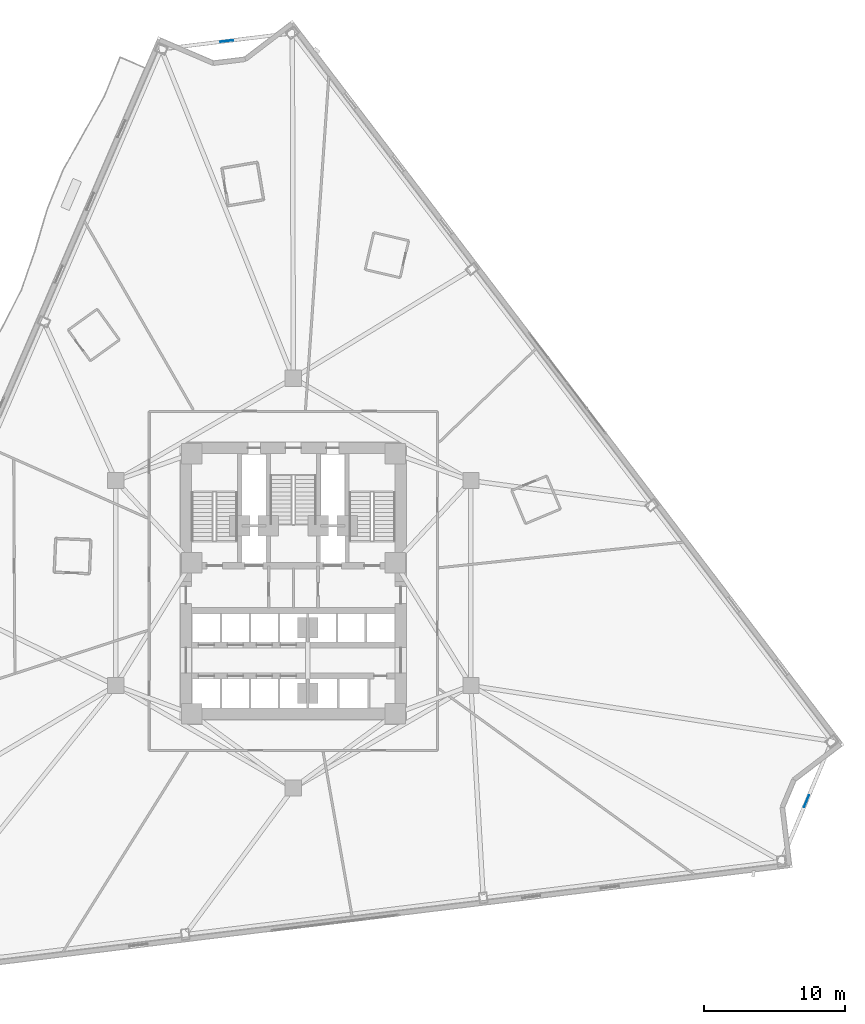
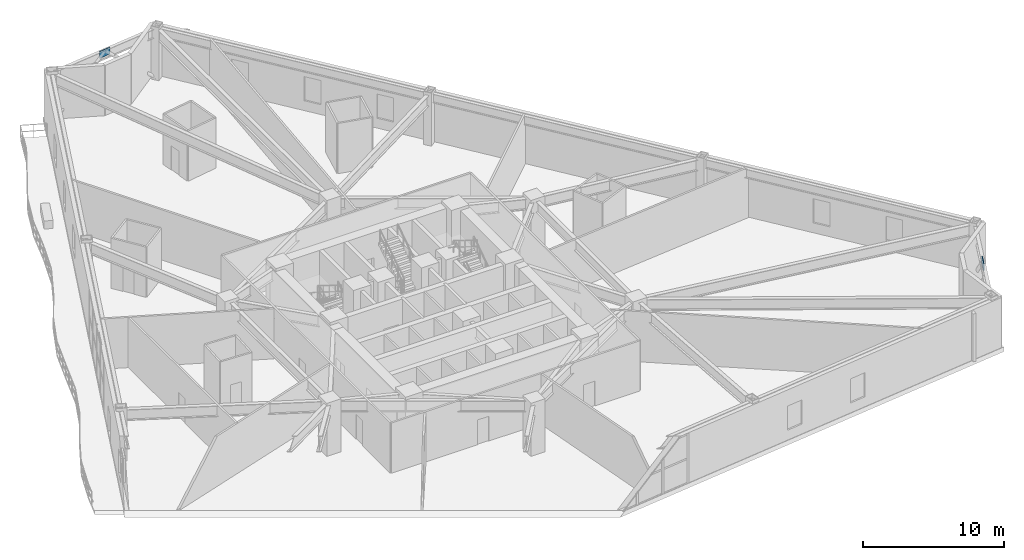
# One storey, part 10 of 21: 2 plates.
"""IFC4 building model written with IfcOpenShell, lengths in metres."""

from ifc_helpers import new_model, si_unit, direction, frame, origin, origin_2d, place, context, subcontext, project, spatial, rectangle, extrude, material, layer, layer_set, type_object, element, save


model = new_model("IFC4")

# Units and contexts
model_context = context("Model", 3, precision=1e-05, world=origin(), true_north=direction((0.0, 1.0)))
body_context = subcontext(model_context, "Body", "Model", "MODEL_VIEW")
ifc_project = project(units=[si_unit("LENGTHUNIT", "METRE"), si_unit("AREAUNIT", "SQUARE_METRE"), si_unit("VOLUMEUNIT", "CUBIC_METRE"), si_unit("PLANEANGLEUNIT", "RADIAN"), si_unit("MASSUNIT", "GRAM", prefix="KILO")], contexts=[model_context])

# Site, building, storey
site_placement = place(None, origin())
site = spatial("IfcSite", under=ifc_project, at=site_placement, CompositionType="ELEMENT")
building_placement = place(site_placement, origin())
building = spatial("IfcBuilding", under=site, at=building_placement, Name="Apsidion Concourse Tower", CompositionType="ELEMENT")
storey_placement = place(building_placement, frame((0.0, 0.0, 62.39990234375)))
storey = spatial("IfcBuildingStorey", under=building, at=storey_placement, Name="L13", CompositionType="ELEMENT", Elevation=62.39990234375)

# Plates
ifc_material = material(Name="Structural steel ASTM A572 Grade 50", Category="steel")
ifc_layer = layer(ifc_material, 0.0400390625)
ifc_layer_set = layer_set([ifc_layer], Name="Structural steel ASTM A572 Grade 50")
plate_type = type_object("IfcPlateType", Name="PL-GUSSET-40", PredefinedType="SHEET", material=ifc_layer_set)
for number, where, z_axis, x_axis, name in (
    (1, (36.3037109375, -15.4326171875, 3.77001953125), (0.0, 0.0, 1.0), (0.388319916157, 0.921524629468, 0.0), "L13 Chevron Apex Node Gusset Plate KNA-2"),
    (2, (-4.708251953125, 38.345947265625, 3.77001953125), (0.0, 0.0, 1.0), (0.992546151641, 0.121869343405, 0.0), "L13 Chevron Apex Node Gusset Plate KNA-3"),
):
    element("IfcPlate", number, at=place(storey_placement, frame(where, z_axis=z_axis, x_axis=x_axis)), inside=storey, type_object=plate_type, Name=name, PredefinedType="SHEET", context=body_context, shape_type="SweptSolid", body=[
        extrude(rectangle(XDim=0.89990234375, YDim=0.0400390625, at=origin_2d()), origin(), (0.0, 0.0, 1.0), 0.60009765625),
    ])

save(model, "model.ifc")
